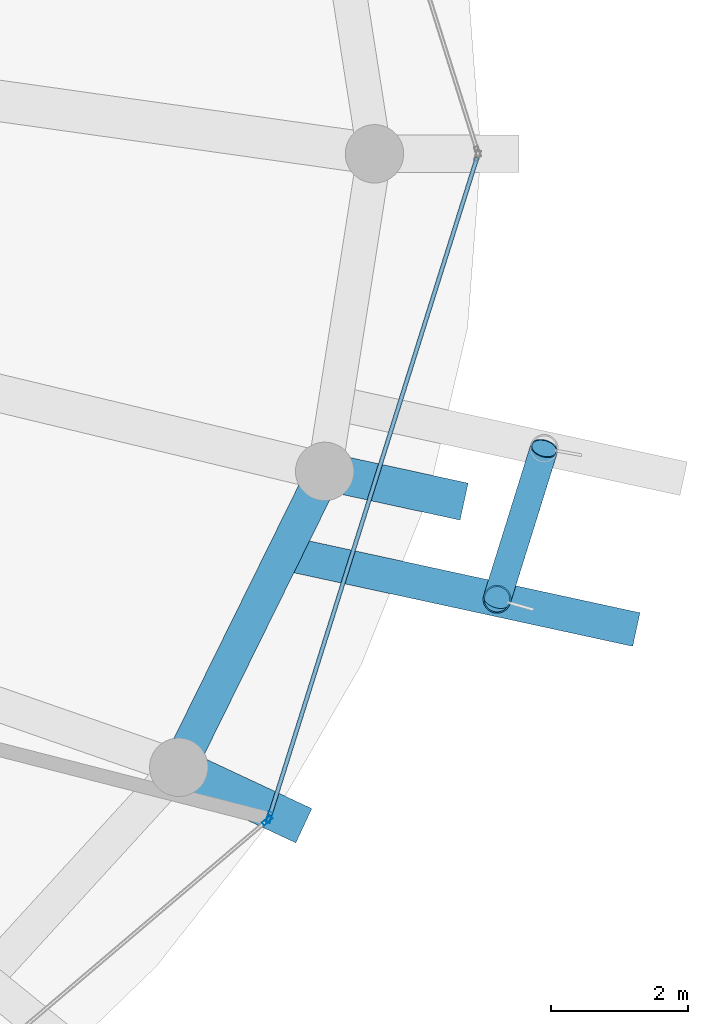
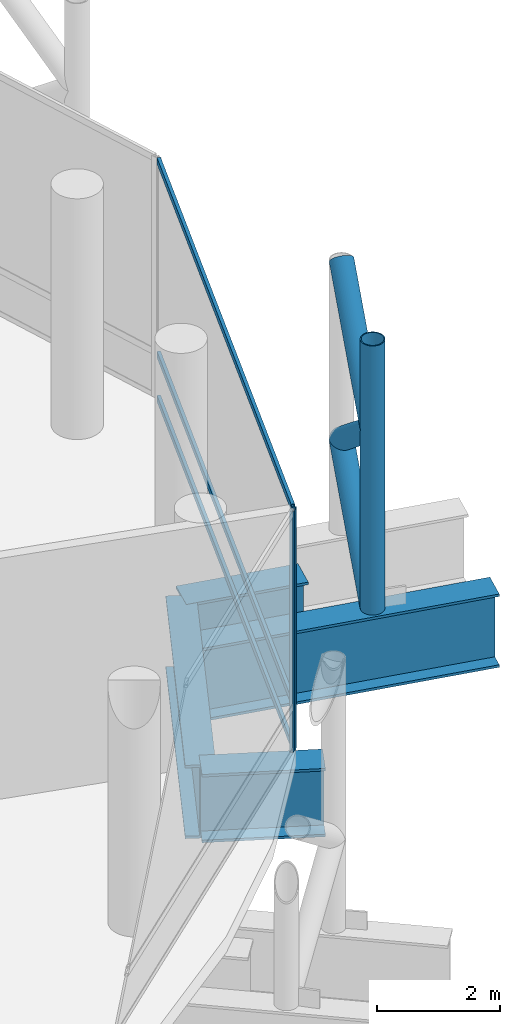
# One storey, part 12 of 31: 9 members, 4 beams, 2 elements without a shape of their own.
"""IFC4 building model written with IfcOpenShell, lengths in metres."""

import ifcopenshell
import ifcopenshell.guid

model = None  # the IFC model being written
_history = None  # IfcOwnerHistory: only IFC2X3 demands one
_inside = {}  # id of a spatial element -> (the spatial element, [elements in it])
_under = {}  # id of a project, library or spatial element -> (it, [spatial elements below it])
_declared = {}  # id of a project -> (the project, [libraries it declares])
_typed = {}  # id of a type object -> (the type object, [elements of that type])
_made_of = {}  # id of a material, layer set ... -> (it, [elements and type objects made of it])


def new_model(schema):
    """Start an empty IFC model of exactly this schema.

    Asked for "IFC4X3", IfcOpenShell would pick the latest addendum, in which some entities
    have other attributes; the version numbers below select the first issue.
    IFC2X3 requires an IfcOwnerHistory on every rooted entity: one is made here for all.
    """
    global model, _history
    if schema == "IFC4X3":
        model = ifcopenshell.file(schema_version=(4, 3, 0, 0))
    else:
        model = ifcopenshell.file(schema=schema)
    _inside.clear()
    _under.clear()
    _declared.clear()
    _typed.clear()
    _made_of.clear()
    _history = None
    if model.schema == "IFC2X3":
        org = make("IfcOrganization", Name="unknown")
        user = make(
            "IfcPersonAndOrganization",
            ThePerson=make("IfcPerson", FamilyName="unknown"),
            TheOrganization=org,
        )
        app = make(
            "IfcApplication",
            ApplicationDeveloper=org,
            Version="unknown",
            ApplicationFullName="unknown",
            ApplicationIdentifier="unknown",
        )
        _history = make(
            "IfcOwnerHistory",
            OwningUser=user,
            OwningApplication=app,
            ChangeAction="ADDED",
            CreationDate=0,
        )
    return model


def make(cls, **values):
    """One entity of the class cls with the attributes given. An attribute that is None is left unset."""
    return model.create_entity(
        cls, **{name: value for name, value in values.items() if value is not None}
    )


def rooted(cls, **values):
    """An entity with a GlobalId (a new one), such as an element, a storey or a relation."""
    return make(cls, GlobalId=ifcopenshell.guid.new(), OwnerHistory=_history, **values)


def si_unit(unit_type, name, prefix=None):
    """IfcSIUnit, for example si_unit("LENGTHUNIT", "METRE", prefix="MILLI")."""
    return make("IfcSIUnit", UnitType=unit_type, Prefix=prefix, Name=name)


def assignment(units):
    """IfcUnitAssignment: the units of a project."""
    return None if units is None else make("IfcUnitAssignment", Units=units)


def point(xyz):
    """IfcCartesianPoint."""
    return None if xyz is None else make("IfcCartesianPoint", Coordinates=xyz)


def direction(xyz):
    """IfcDirection."""
    return None if xyz is None else make("IfcDirection", DirectionRatios=xyz)


def frame(location, z_axis=None, x_axis=None):
    """IfcAxis2Placement3D, a coordinate frame: its origin and axes. An axis left out is left unset."""
    return make(
        "IfcAxis2Placement3D",
        Location=point(location),
        Axis=direction(z_axis),
        RefDirection=direction(x_axis),
    )


def frame_2d(location, x_axis=None):
    """IfcAxis2Placement2D, a coordinate frame in the plane: its origin and x axis."""
    return make(
        "IfcAxis2Placement2D", Location=point(location), RefDirection=direction(x_axis)
    )


def origin():
    """The frame at (0, 0, 0) with its axes left unset."""
    return frame((0.0, 0.0, 0.0))


def origin_2d():
    """The frame at (0, 0) in the plane with its x axis left unset."""
    return frame_2d((0.0, 0.0))


def place(relative_to, where):
    """IfcLocalPlacement: puts the frame where relative to a parent placement (None: the world)."""
    return make(
        "IfcLocalPlacement", PlacementRelTo=relative_to, RelativePlacement=where
    )


def context(
    kind, dimensions, precision=None, world=None, true_north=None, identifier=None
):
    """IfcGeometricRepresentationContext, for example the 3D "Model" context."""
    return make(
        "IfcGeometricRepresentationContext",
        ContextIdentifier=identifier,
        ContextType=kind,
        CoordinateSpaceDimension=dimensions,
        Precision=precision,
        WorldCoordinateSystem=world,
        TrueNorth=true_north,
    )


def subcontext(parent, identifier, kind, view, scale=None):
    """IfcGeometricRepresentationSubContext, for example "Body" below "Model"."""
    return make(
        "IfcGeometricRepresentationSubContext",
        ContextIdentifier=identifier,
        ContextType=kind,
        ParentContext=parent,
        TargetScale=scale,
        TargetView=view,
    )


def project(units=None, contexts=None):
    """IfcProject with its units and contexts."""
    return rooted(
        "IfcProject",
        Name="project",
        RepresentationContexts=contexts,
        UnitsInContext=assignment(units),
    )


def spatial(cls, under=None, at=None, **own):
    """A site, building, storey or space (cls), placed at a placement, below another one or the project."""
    s = rooted(cls, ObjectPlacement=at, **own)
    if under is not None:
        _under.setdefault(under.id(), (under, []))[1].append(s)
    return s


def profile(cls, at=None, kind="AREA", **sizes):
    """A parametric profile (cls). Its sizes go by their IFC names, for example OverallWidth=200.0."""
    return make(cls, ProfileType=kind, Position=at, **sizes)


def hollow_rectangle(**sizes):
    """IfcRectangleHollowProfileDef."""
    return profile("IfcRectangleHollowProfileDef", **sizes)


def hollow_circle(**sizes):
    """IfcCircleHollowProfileDef."""
    return profile("IfcCircleHollowProfileDef", **sizes)


def i_section(**sizes):
    """IfcIShapeProfileDef."""
    return profile("IfcIShapeProfileDef", **sizes)


def extrude(swept, where, along, depth):
    """IfcExtrudedAreaSolid: the profile swept, set in the frame where, extruded along a direction by depth."""
    return make(
        "IfcExtrudedAreaSolid",
        SweptArea=swept,
        Position=where,
        ExtrudedDirection=direction(along),
        Depth=depth,
    )


def shape(context_of_items, identifier, shape_type, items):
    """IfcShapeRepresentation: the items that make up one representation, for example the "Body"."""
    return make(
        "IfcShapeRepresentation",
        ContextOfItems=context_of_items,
        RepresentationIdentifier=identifier,
        RepresentationType=shape_type,
        Items=items,
    )


def material(Name=None, Category=None):
    """IfcMaterial."""
    return make("IfcMaterial", Name=Name, Category=Category)


def layer(
    of_material, thickness, ventilated=None, Name=None, Category=None, Priority=None
):
    """IfcMaterialLayer: one layer of a wall or slab, of a material (None: an air gap)."""
    return make(
        "IfcMaterialLayer",
        Material=of_material,
        LayerThickness=thickness,
        IsVentilated=ventilated,
        Name=Name,
        Category=Category,
        Priority=Priority,
    )


def layer_set(layers, Name=None):
    """IfcMaterialLayerSet."""
    return make("IfcMaterialLayerSet", MaterialLayers=layers, LayerSetName=Name)


def material_profile(
    of_material, cross_section, Name=None, Category=None, Priority=None
):
    """IfcMaterialProfile: a cross section and its material."""
    return make(
        "IfcMaterialProfile",
        Name=Name,
        Material=of_material,
        Profile=cross_section,
        Priority=Priority,
        Category=Category,
    )


def profile_set(profiles, Name=None, composite=None):
    """IfcMaterialProfileSet."""
    return make(
        "IfcMaterialProfileSet",
        Name=Name,
        MaterialProfiles=profiles,
        CompositeProfile=composite,
    )


def made_of(thing, what):
    """Note that an element or type object is made of a material, layer set ...; save() writes the relation."""
    if what is not None:
        _made_of.setdefault(what.id(), (what, []))[1].append(thing)
    return thing


def type_object(cls, material=None, **own):
    """A type object (cls), such as IfcWallType, which elements share."""
    return made_of(rooted(cls, **own), material)


def element(
    cls,
    number,
    at=None,
    inside=None,
    cuts=None,
    type_object=None,
    material=None,
    context=None,
    identifier="Body",
    shape_type=None,
    held_by="IfcProductDefinitionShape",
    body=None,
    shapes=None,
    **own,
):
    """One element of the class cls, such as IfcWall. Its Tag is "e" and its number.

    at: its placement. inside: the storey or other place that contains it. cuts: it is an
    opening in that element (IfcRelVoidsElement). A single representation is given by context,
    identifier, shape_type and body (its items); several are given by shapes. held_by: the class
    of the entity that holds the representations. save() writes the other relations.
    """
    e = rooted(cls, Tag="e%d" % number, ObjectPlacement=at, **own)
    if body is not None:
        shapes = [shape(context, identifier, shape_type, body)]
    if shapes is not None:
        e.Representation = make(held_by, Representations=shapes)
    if inside is not None:
        _inside.setdefault(inside.id(), (inside, []))[1].append(e)
    if cuts is not None:
        rooted(
            "IfcRelVoidsElement", RelatingBuildingElement=cuts, RelatedOpeningElement=e
        )
    if type_object is not None:
        _typed.setdefault(type_object.id(), (type_object, []))[1].append(e)
    return made_of(e, material)


def aggregate(whole, parts):
    """IfcRelAggregates: a whole, such as a stair, and the parts it consists of."""
    return rooted("IfcRelAggregates", RelatingObject=whole, RelatedObjects=parts)


def save(model, path):
    """Write the relations noted so far, then the file.

    IfcRelAggregates (storeys below a building ...), IfcRelContainedInSpatialStructure (elements
    in a storey), IfcRelDefinesByType, IfcRelAssociatesMaterial and IfcRelDeclares: one each for
    every whole, place, type object, material and project.
    """
    for whole, parts in _under.values():
        aggregate(whole, parts)
    for where, things in _inside.values():
        rooted(
            "IfcRelContainedInSpatialStructure",
            RelatedElements=things,
            RelatingStructure=where,
        )
    for kind, things in _typed.values():
        rooted("IfcRelDefinesByType", RelatedObjects=things, RelatingType=kind)
    for what, things in _made_of.values():
        rooted("IfcRelAssociatesMaterial", RelatedObjects=things, RelatingMaterial=what)
    for by, libraries in _declared.values():
        rooted("IfcRelDeclares", RelatingContext=by, RelatedDefinitions=libraries)
    model.write(path)


model = new_model("IFC4")

# Units and contexts
model_context = context("Model", 3, precision=1e-05, world=origin(), true_north=direction((0.0, 1.0)))
body_context = subcontext(model_context, "Body", "Model", "MODEL_VIEW")
ifc_project = project(units=[si_unit("LENGTHUNIT", "METRE"), si_unit("AREAUNIT", "SQUARE_METRE"), si_unit("VOLUMEUNIT", "CUBIC_METRE"), si_unit("PLANEANGLEUNIT", "RADIAN"), si_unit("MASSUNIT", "GRAM", prefix="KILO")], contexts=[model_context])

# Site, building, storey
site_placement = place(None, origin())
site = spatial("IfcSite", under=ifc_project, at=site_placement, CompositionType="ELEMENT")
building_placement = place(site_placement, origin())
building = spatial("IfcBuilding", under=site, at=building_placement, Name="Nuhasar Tower", CompositionType="ELEMENT")
storey_placement = place(building_placement, frame((0.0, 0.0, 203.14990234375)))
storey = spatial("IfcBuildingStorey", under=building, at=storey_placement, Name="L49", CompositionType="ELEMENT", Elevation=203.14990234375)

# Beams
ifc_material_1 = material(Name="Steel S460", Category="steel")
ifc_material_profile_1 = material_profile(ifc_material_1, i_section(OverallWidth=0.550048828125, OverallDepth=1.35009765625, WebThickness=0.028076171875, FlangeThickness=0.050048828125, at=origin_2d()), Name="PG1350X550")
ifc_profile_set_1 = profile_set([ifc_material_profile_1], Name="Steel S460")
beam_type_1 = type_object("IfcBeamType", Name="BM-XFER-PG1350", PredefinedType="USERDEFINED", material=ifc_profile_set_1)
beam_1_placement = place(storey_placement, frame((57.403076171875, 17.875, -0.994873046875), z_axis=(0.905934453989, -0.423417955542, 0.0), x_axis=(0.423417955542, 0.905934453989, 0.0)))
element("IfcBeam", 1, at=beam_1_placement, inside=storey, type_object=beam_type_1, Name="L49 Outer Column Step Transfer Girder 23", ObjectType="GIRDER", PredefinedType="USERDEFINED", context=body_context, shape_type="SweptSolid", body=[
    extrude(i_section(OverallWidth=0.550048828125, OverallDepth=1.35009765625, WebThickness=0.028076171875, FlangeThickness=0.050048828125, at=origin_2d()), origin(), (0.0, 0.0, 1.0), 2.0078125),
])
beam_2_placement = place(storey_placement, frame((59.52587890625, 22.179931640625, -0.994873046875), z_axis=(0.977270764875, -0.211994934189, 0.0), x_axis=(0.211994934189, 0.977270764875, 0.0)))
element("IfcBeam", 2, at=beam_2_placement, inside=storey, type_object=beam_type_1, Name="L49 Outer Column Step Transfer Girder 24", ObjectType="GIRDER", PredefinedType="USERDEFINED", context=body_context, shape_type="SweptSolid", body=[
    extrude(i_section(OverallWidth=0.550048828125, OverallDepth=1.35009765625, WebThickness=0.028076171875, FlangeThickness=0.050048828125, at=origin_2d()), origin(), (0.0, 0.0, 1.0), 2.0751953125),
])
ifc_material_profile_2 = material_profile(ifc_material_1, i_section(OverallWidth=0.5, OverallDepth=1.449951171875, WebThickness=0.028076171875, FlangeThickness=0.050048828125, at=origin_2d()), Name="PG1450X500")
ifc_profile_set_2 = profile_set([ifc_material_profile_2], Name="Steel S460")
beam_type_2 = type_object("IfcBeamType", Name="BM-XFER-PG1450", PredefinedType="USERDEFINED", material=ifc_profile_set_2)
beam_3_placement = place(storey_placement, frame((57.403076171875, 17.875, -1.044921875), z_axis=(0.442262779282, 0.896885518928, 0.0), x_axis=(-0.896885518928, 0.442262779282, 0.0)))
element("IfcBeam", 3, at=beam_3_placement, inside=storey, type_object=beam_type_2, Name="L49 Perimeter Ring Spandrel 23", ObjectType="GIRDER", PredefinedType="USERDEFINED", context=body_context, shape_type="SweptSolid", body=[
    extrude(i_section(OverallWidth=0.5, OverallDepth=1.449951171875, WebThickness=0.028076171875, FlangeThickness=0.050048828125, at=origin_2d()), origin(), (0.0, 0.0, 1.0), 4.7998046875),
])
beam_4_placement = place(storey_placement, frame((58.93896484375, 20.990966796875, -1.044921875), z_axis=(0.977224692322, -0.212207211743, 0.0), x_axis=(0.212207211743, 0.977224692322, 0.0)))
element("IfcBeam", 4, at=beam_4_placement, inside=storey, type_object=beam_type_2, Name="L49 Exoskeleton Step Transfer Girder 23", ObjectType="GIRDER", PredefinedType="USERDEFINED", context=body_context, shape_type="SweptSolid", body=[
    extrude(i_section(OverallWidth=0.5, OverallDepth=1.449951171875, WebThickness=0.028076171875, FlangeThickness=0.050048828125, at=origin_2d()), origin(), (0.0, 0.0, 1.0), 5.240478515625),
])

# Curtain wall, member
ifc_material_2 = material(Name="Aluminium 6063-T6", Category="aluminium")
ifc_layer = layer(ifc_material_2, 0.239990234375)
ifc_layer_set = layer_set([ifc_layer], Name="Aluminium 6063-T6")
curtain_wall_type = type_object("IfcCurtainWallType", Name="CW-SKY-LBY", PredefinedType="NOTDEFINED", material=ifc_layer_set)
curtain_wall_1_placement = place(storey_placement, origin())
curtain_wall_1 = element("IfcCurtainWall", 5, at=curtain_wall_1_placement, inside=storey, type_object=curtain_wall_type, Name="L49 Unitised Curtain Wall 11", PredefinedType="NOTDEFINED")
ifc_material_profile_3 = material_profile(ifc_material_2, hollow_rectangle(XDim=0.06005859375, YDim=0.159912109375, WallThickness=0.0048828125, at=origin_2d()), Name="CWM-6")
ifc_profile_set_3 = profile_set([ifc_material_profile_3], Name="Aluminium 6063-T6")
member_type_1 = type_object("IfcMemberType", Name="CW-MUL-S6", PredefinedType="MULLION", material=ifc_profile_set_3)
member_1_placement = place(storey_placement, frame((58.688232421875, 17.1005859375, 0.0), z_axis=(0.0, 0.0, 1.0), x_axis=(-0.64789521578, 0.761729472562, 0.0)))
member_1 = element("IfcMember", 6, at=member_1_placement, type_object=member_type_1, Name="CW-SL mullion 2", PredefinedType="MULLION", context=body_context, shape_type="SweptSolid", body=[
    extrude(hollow_rectangle(XDim=0.06005859375, YDim=0.159912109375, WallThickness=0.0048828125, at=origin_2d()), origin(), (0.0, 0.0, 1.0), 4.760009765625),
])
aggregate(curtain_wall_1, [member_1])

# Curtain wall, members
curtain_wall_2_placement = place(storey_placement, origin())
curtain_wall_2 = element("IfcCurtainWall", 7, at=curtain_wall_2_placement, inside=storey, type_object=curtain_wall_type, Name="L49 Unitised Curtain Wall 12", PredefinedType="NOTDEFINED")
member_2_placement = place(storey_placement, frame((58.719970703125, 17.148681640625, 0.0), z_axis=(0.0, 0.0, 1.0), x_axis=(-0.95380429279, 0.30042864553, 0.0)))
member_2 = element("IfcMember", 8, at=member_2_placement, type_object=member_type_1, Name="CW-SL mullion 1", PredefinedType="MULLION", context=body_context, shape_type="SweptSolid", body=[
    extrude(hollow_rectangle(XDim=0.06005859375, YDim=0.159912109375, WallThickness=0.0048828125, at=origin_2d()), origin(), (0.0, 0.0, 1.0), 4.760009765625),
])
ifc_material_profile_4 = material_profile(ifc_material_2, hollow_rectangle(XDim=0.06005859375, YDim=0.1298828125, WallThickness=0.00439453125, at=origin_2d()), Name="CWT-6")
ifc_profile_set_4 = profile_set([ifc_material_profile_4], Name="Aluminium 6063-T6")
member_type_2 = type_object("IfcMemberType", Name="CW-TRN-S6", PredefinedType="USERDEFINED", material=ifc_profile_set_4)
member_3_placement = place(storey_placement, frame((58.72900390625, 17.17724609375, 0.030029296875), z_axis=(0.300431070705, 0.953803528907, 0.0), x_axis=(-0.953803528907, 0.300431070705, 0.0)))
member_3 = element("IfcMember", 9, at=member_3_placement, type_object=member_type_2, Name="CW-SL transom 1.1", ObjectType="TRANSOM", PredefinedType="USERDEFINED", context=body_context, shape_type="SweptSolid", body=[
    extrude(hollow_rectangle(XDim=0.06005859375, YDim=0.1298828125, WallThickness=0.00439453125, at=origin_2d()), origin(), (0.0, 0.0, 1.0), 10.02880859375),
])
member_4_placement = place(storey_placement, frame((58.72900390625, 17.17724609375, 0.900146484375), z_axis=(0.300431070705, 0.953803528907, 0.0), x_axis=(-0.953803528907, 0.300431070705, 0.0)))
member_4 = element("IfcMember", 10, at=member_4_placement, type_object=member_type_2, Name="CW-SL transom 1.2", ObjectType="TRANSOM", PredefinedType="USERDEFINED", context=body_context, shape_type="SweptSolid", body=[
    extrude(hollow_rectangle(XDim=0.06005859375, YDim=0.1298828125, WallThickness=0.00439453125, at=origin_2d()), origin(), (0.0, 0.0, 1.0), 10.02880859375),
])
member_5_placement = place(storey_placement, frame((58.72900390625, 17.17724609375, 4.72998046875), z_axis=(0.300431070705, 0.953803528907, 0.0), x_axis=(-0.953803528907, 0.300431070705, 0.0)))
member_5 = element("IfcMember", 11, at=member_5_placement, type_object=member_type_2, Name="CW-SL transom 1.3", ObjectType="TRANSOM", PredefinedType="USERDEFINED", context=body_context, shape_type="SweptSolid", body=[
    extrude(hollow_rectangle(XDim=0.06005859375, YDim=0.1298828125, WallThickness=0.00439453125, at=origin_2d()), origin(), (0.0, 0.0, 1.0), 10.02880859375),
])
aggregate(curtain_wall_2, [member_2, member_3, member_4, member_5])

# Members
ifc_material_profile_5 = material_profile(ifc_material_1, hollow_circle(Radius=0.203125, WallThickness=0.01904296875, at=origin_2d()), Name="HSS406.4X19.1")
ifc_profile_set_5 = profile_set([ifc_material_profile_5], Name="Steel S460")
member_type_3 = type_object("IfcMemberType", Name="EXO-BRONZE-406", PredefinedType="BRACE", material=ifc_profile_set_5)
member_6_placement = place(storey_placement, frame((62.032958984375, 20.319091796875, -0.31982421875), z_axis=(0.0, 0.0, 1.0), x_axis=(1.0, 0.0, 0.0)))
element("IfcMember", 12, at=member_6_placement, inside=storey, type_object=member_type_3, Name="L49 Exoskeleton Chord Column EC-12A", PredefinedType="BRACE", context=body_context, shape_type="SweptSolid", body=[
    extrude(hollow_circle(Radius=0.203125, WallThickness=0.01904296875, at=origin_2d()), origin(), (0.0, 0.0, 1.0), 5.31982421875),
])
member_7_placement = place(storey_placement, frame((62.032958984375, 20.319091796875, -0.31982421875), z_axis=(0.235948006598, 0.755941760269, 0.610639495336), x_axis=(-0.954581948223, 0.297948492404, 0.0)))
element("IfcMember", 13, at=member_7_placement, inside=storey, type_object=member_type_3, Name="L49 Bronze Diagrid Brace W1-12", PredefinedType="BRACE", context=body_context, shape_type="SweptSolid", body=[
    extrude(hollow_circle(Radius=0.203125, WallThickness=0.01904296875, at=origin_2d()), origin(), (0.0, 0.0, 1.0), 2.9033203125),
])
member_8_placement = place(storey_placement, frame((62.718017578125, 22.513916015625, 1.453125), z_axis=(-0.235899547467, -0.755786504535, 0.610850360618), x_axis=(0.954581948223, -0.297948492404, 0.0)))
element("IfcMember", 14, at=member_8_placement, inside=storey, type_object=member_type_3, Name="L49 Bronze Diagrid Brace W2-12", PredefinedType="BRACE", context=body_context, shape_type="SweptSolid", body=[
    extrude(hollow_circle(Radius=0.203125, WallThickness=0.01904296875, at=origin_2d()), origin(), (0.0, 0.0, 1.0), 2.904052734375),
])
member_9_placement = place(storey_placement, frame((62.032958984375, 20.319091796875, 3.22705078125), z_axis=(0.235948006598, 0.755941760269, 0.610639495336), x_axis=(-0.954581948223, 0.297948492404, 0.0)))
element("IfcMember", 15, at=member_9_placement, inside=storey, type_object=member_type_3, Name="L49 Bronze Diagrid Brace W3-12", PredefinedType="BRACE", context=body_context, shape_type="SweptSolid", body=[
    extrude(hollow_circle(Radius=0.203125, WallThickness=0.01904296875, at=origin_2d()), origin(), (0.0, 0.0, 1.0), 2.9033203125),
])

save(model, "model.ifc")
